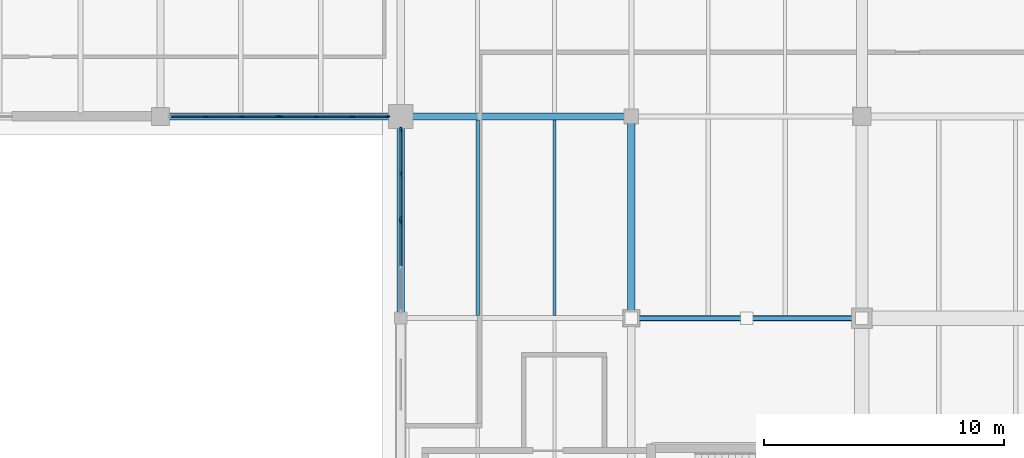
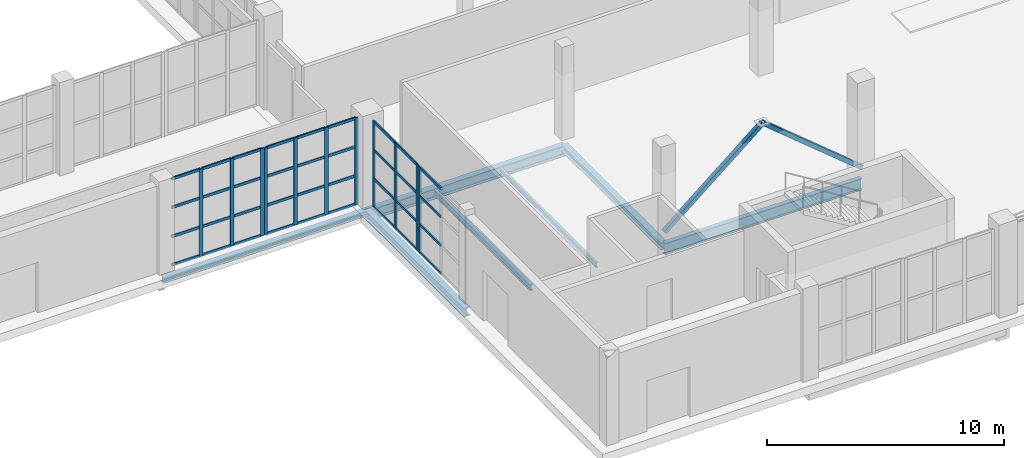
# One storey, part 17 of 121: 49 members, 7 beams, 4 elements without a shape of their own.
"""IFC4 building model written with IfcOpenShell, lengths in metres."""

from ifc_helpers import new_model, si_unit, direction, frame, origin, origin_2d, place, context, subcontext, project, spatial, rectangle, hollow_rectangle, i_section, extrude, material, layer, layer_set, material_profile, profile_set, type_object, element, aggregate, save


model = new_model("IFC4")

# Units and contexts
model_context = context("Model", 3, precision=1e-05, world=origin(), true_north=direction((0.0, 1.0)))
body_context = subcontext(model_context, "Body", "Model", "MODEL_VIEW")
ifc_project = project(units=[si_unit("LENGTHUNIT", "METRE"), si_unit("AREAUNIT", "SQUARE_METRE"), si_unit("VOLUMEUNIT", "CUBIC_METRE"), si_unit("PLANEANGLEUNIT", "RADIAN"), si_unit("MASSUNIT", "GRAM", prefix="KILO")], contexts=[model_context])

# Site, building, storey
site_placement = place(None, origin())
site = spatial("IfcSite", under=ifc_project, at=site_placement, CompositionType="ELEMENT")
building_placement = place(site_placement, origin())
building = spatial("IfcBuilding", under=site, at=building_placement, Name="Zereglee Splitstone Museum", CompositionType="ELEMENT")
storey_placement = place(building_placement, origin())
storey = spatial("IfcBuildingStorey", under=building, at=storey_placement, Name="L00", CompositionType="ELEMENT", Elevation=0.0)

# Members
ifc_material_1 = material(Name="Steel S355J2H", Category="steel")
ifc_material_profile_1 = material_profile(ifc_material_1, hollow_rectangle(XDim=0.199951171875, YDim=0.199951171875, WallThickness=0.010009765625, at=origin_2d()), Name="SHS 200x200x10")
ifc_profile_set_1 = profile_set([ifc_material_profile_1], Name="Steel S355J2H")
member_type_1 = type_object("IfcMemberType", Name="TB-07", PredefinedType="BRACE", material=ifc_profile_set_1)
member_1_placement = place(storey_placement, frame((87.60009765625, 21.60009765625, 0.1201171875), z_axis=(0.771363648396, 0.0, 0.636394627517), x_axis=(0.0, 1.0, 0.0)))
element("IfcMember", 1, at=member_1_placement, inside=storey, type_object=member_type_1, Name="Lateral Braced Frame Chevron L00-005A", PredefinedType="BRACE", context=body_context, shape_type="SweptSolid", body=[
    extrude(hollow_rectangle(XDim=0.199951171875, YDim=0.199951171875, WallThickness=0.010009765625, at=origin_2d()), origin(), (0.0, 0.0, 1.0), 6.222412109375),
])
member_2_placement = place(storey_placement, frame((97.199951171875, 21.60009765625, 0.1201171875), z_axis=(-0.771379537849, 0.0, 0.636375367678), x_axis=(0.0, -1.0, 0.0)))
element("IfcMember", 2, at=member_2_placement, inside=storey, type_object=member_type_1, Name="Lateral Braced Frame Chevron L00-005B", PredefinedType="BRACE", context=body_context, shape_type="SweptSolid", body=[
    extrude(hollow_rectangle(XDim=0.199951171875, YDim=0.199951171875, WallThickness=0.010009765625, at=origin_2d()), origin(), (0.0, 0.0, 1.0), 6.22265625),
])

# Curtain wall, members
ifc_material_2 = material(Name="Triple-glazed low-E argon glass and bronze-anodised aluminium", Category="aluminium")
ifc_layer_1 = layer(ifc_material_2, 0.179931640625)
ifc_layer_set_1 = layer_set([ifc_layer_1], Name="Triple-glazed low-E argon glass and bronze-anodised aluminium")
curtain_wall_type_1 = type_object("IfcCurtainWallType", Name="CW-0451-450", PredefinedType="USERDEFINED", material=ifc_layer_set_1)
curtain_wall_1_placement = place(storey_placement, origin())
curtain_wall_1 = element("IfcCurtainWall", 3, at=curtain_wall_1_placement, inside=storey, type_object=curtain_wall_type_1, Name="Glazed Curtain Wall CW-0451-450 (L00)", ObjectType="GLAZED CURTAIN WALL", PredefinedType="USERDEFINED")
ifc_material_3 = material(Name="Thermally broken bronze-anodised aluminium", Category="aluminium")
ifc_material_profile_2 = material_profile(ifc_material_3, rectangle(XDim=0.06494140625, YDim=0.179931640625, at=origin_2d()), Name="CW MULL 65x180")
ifc_profile_set_2 = profile_set([ifc_material_profile_2], Name="Thermally broken bronze-anodised aluminium")
member_type_2 = type_object("IfcMemberType", Name="CWM-01", PredefinedType="MULLION", material=ifc_profile_set_2)
member_3_placement = place(storey_placement, frame((69.887939453125, 30.0, 0.0), z_axis=(0.0, 0.0, 1.0), x_axis=(0.0, 1.0, 0.0)))
member_3 = element("IfcMember", 4, at=member_3_placement, type_object=member_type_2, Name="CW-0451-450 mullion 2", PredefinedType="MULLION", context=body_context, shape_type="SweptSolid", body=[
    extrude(rectangle(XDim=0.06494140625, YDim=0.179931640625, at=origin_2d()), origin(), (0.0, 0.0, 1.0), 4.5),
])
member_4_placement = place(storey_placement, frame((71.392578125, 30.0, 0.0), z_axis=(0.0, 0.0, 1.0), x_axis=(0.0, 1.0, 0.0)))
member_4 = element("IfcMember", 5, at=member_4_placement, type_object=member_type_2, Name="CW-0451-450 mullion 3", PredefinedType="MULLION", context=body_context, shape_type="SweptSolid", body=[
    extrude(rectangle(XDim=0.06494140625, YDim=0.179931640625, at=origin_2d()), origin(), (0.0, 0.0, 1.0), 4.5),
])
member_5_placement = place(storey_placement, frame((72.864990234375, 30.0, 0.0), z_axis=(0.0, 0.0, 1.0), x_axis=(0.0, 1.0, 0.0)))
member_5 = element("IfcMember", 6, at=member_5_placement, type_object=member_type_2, Name="CW-0451-450 mullion 4", PredefinedType="MULLION", context=body_context, shape_type="SweptSolid", body=[
    extrude(rectangle(XDim=0.06494140625, YDim=0.179931640625, at=origin_2d()), origin(), (0.0, 0.0, 1.0), 4.5),
])

ifc_layer_2 = layer(ifc_material_2, 0.179931640625)
ifc_layer_set_2 = layer_set([ifc_layer_2], Name="Triple-glazed low-E argon glass and bronze-anodised aluminium")
curtain_wall_type_2 = type_object("IfcCurtainWallType", Name="CW-0451-448", PredefinedType="USERDEFINED", material=ifc_layer_set_2)
curtain_wall_2_placement = place(storey_placement, origin())
curtain_wall_2 = element("IfcCurtainWall", 7, at=curtain_wall_2_placement, inside=storey, type_object=curtain_wall_type_2, Name="Glazed Curtain Wall CW-0451-448 (L00)", ObjectType="GLAZED CURTAIN WALL", PredefinedType="USERDEFINED")
member_6_placement = place(storey_placement, frame((73.010009765625, 30.0, 0.0), z_axis=(0.0, 0.0, 1.0), x_axis=(0.0, 1.0, 0.0)))
member_6 = element("IfcMember", 8, at=member_6_placement, type_object=member_type_2, Name="CW-0451-448 mullion 1", PredefinedType="MULLION", context=body_context, shape_type="SweptSolid", body=[
    extrude(rectangle(XDim=0.06494140625, YDim=0.179931640625, at=origin_2d()), origin(), (0.0, 0.0, 1.0), 4.47998046875),
])
member_7_placement = place(storey_placement, frame((74.482421875, 30.0, 0.0), z_axis=(0.0, 0.0, 1.0), x_axis=(0.0, 1.0, 0.0)))
member_7 = element("IfcMember", 9, at=member_7_placement, type_object=member_type_2, Name="CW-0451-448 mullion 2", PredefinedType="MULLION", context=body_context, shape_type="SweptSolid", body=[
    extrude(rectangle(XDim=0.06494140625, YDim=0.179931640625, at=origin_2d()), origin(), (0.0, 0.0, 1.0), 4.47998046875),
])
member_8_placement = place(storey_placement, frame((75.987060546875, 30.0, 0.0), z_axis=(0.0, 0.0, 1.0), x_axis=(0.0, 1.0, 0.0)))
member_8 = element("IfcMember", 10, at=member_8_placement, type_object=member_type_2, Name="CW-0451-448 mullion 3", PredefinedType="MULLION", context=body_context, shape_type="SweptSolid", body=[
    extrude(rectangle(XDim=0.06494140625, YDim=0.179931640625, at=origin_2d()), origin(), (0.0, 0.0, 1.0), 4.47998046875),
])
member_9_placement = place(storey_placement, frame((77.45947265625, 30.0, 0.0), z_axis=(0.0, 0.0, 1.0), x_axis=(0.0, 1.0, 0.0)))
member_9 = element("IfcMember", 11, at=member_9_placement, type_object=member_type_2, Name="CW-0451-448 mullion 4", PredefinedType="MULLION", context=body_context, shape_type="SweptSolid", body=[
    extrude(rectangle(XDim=0.06494140625, YDim=0.179931640625, at=origin_2d()), origin(), (0.0, 0.0, 1.0), 4.47998046875),
])

ifc_layer_3 = layer(ifc_material_2, 0.179931640625)
ifc_layer_set_3 = layer_set([ifc_layer_3], Name="Triple-glazed low-E argon glass and bronze-anodised aluminium")
curtain_wall_type_3 = type_object("IfcCurtainWallType", Name="CW-0378-444", PredefinedType="USERDEFINED", material=ifc_layer_set_3)
curtain_wall_3_placement = place(storey_placement, origin())
curtain_wall_3 = element("IfcCurtainWall", 12, at=curtain_wall_3_placement, inside=storey, type_object=curtain_wall_type_3, Name="Glazed Curtain Wall CW-0378-444 (L00)", ObjectType="GLAZED CURTAIN WALL", PredefinedType="USERDEFINED")
member_10_placement = place(storey_placement, frame((78.0, 29.45947265625, 0.0), z_axis=(0.0, 0.0, 1.0), x_axis=(1.0, 0.0, 0.0)))
member_10 = element("IfcMember", 13, at=member_10_placement, type_object=member_type_2, Name="CW-0378-444 mullion 1", PredefinedType="MULLION", context=body_context, shape_type="SweptSolid", body=[
    extrude(rectangle(XDim=0.06494140625, YDim=0.179931640625, at=origin_2d()), origin(), (0.0, 0.0, 1.0), 4.43994140625),
])
member_11_placement = place(storey_placement, frame((78.0, 27.603515625, 0.0), z_axis=(0.0, 0.0, 1.0), x_axis=(1.0, 0.0, 0.0)))
member_11 = element("IfcMember", 14, at=member_11_placement, type_object=member_type_2, Name="CW-0378-444 mullion 2", PredefinedType="MULLION", context=body_context, shape_type="SweptSolid", body=[
    extrude(rectangle(XDim=0.06494140625, YDim=0.179931640625, at=origin_2d()), origin(), (0.0, 0.0, 1.0), 4.43994140625),
])
member_12_placement = place(storey_placement, frame((78.0, 25.74755859375, 0.0), z_axis=(0.0, 0.0, 1.0), x_axis=(1.0, 0.0, 0.0)))
member_12 = element("IfcMember", 15, at=member_12_placement, type_object=member_type_2, Name="CW-0378-444 mullion 3", PredefinedType="MULLION", context=body_context, shape_type="SweptSolid", body=[
    extrude(rectangle(XDim=0.06494140625, YDim=0.179931640625, at=origin_2d()), origin(), (0.0, 0.0, 1.0), 4.43994140625),
])

# Curtain wall, member
ifc_layer_4 = layer(ifc_material_2, 0.179931640625)
ifc_layer_set_4 = layer_set([ifc_layer_4], Name="Triple-glazed low-E argon glass and bronze-anodised aluminium")
curtain_wall_type_4 = type_object("IfcCurtainWallType", Name="CW-0378-442", PredefinedType="USERDEFINED", material=ifc_layer_set_4)
curtain_wall_4_placement = place(storey_placement, origin())
curtain_wall_4 = element("IfcCurtainWall", 16, at=curtain_wall_4_placement, inside=storey, type_object=curtain_wall_type_4, Name="Glazed Curtain Wall CW-0378-442 (L00)", ObjectType="GLAZED CURTAIN WALL", PredefinedType="USERDEFINED")
member_13_placement = place(storey_placement, frame((78.0, 25.6025390625, 0.0), z_axis=(0.0, 0.0, 1.0), x_axis=(1.0, 0.0, 0.0)))
member_13 = element("IfcMember", 17, at=member_13_placement, type_object=member_type_2, Name="CW-0378-442 mullion 1", PredefinedType="MULLION", context=body_context, shape_type="SweptSolid", body=[
    extrude(rectangle(XDim=0.06494140625, YDim=0.179931640625, at=origin_2d()), origin(), (0.0, 0.0, 1.0), 4.419921875),
])

# Member
ifc_material_profile_3 = material_profile(ifc_material_3, rectangle(XDim=0.06494140625, YDim=0.139892578125, at=origin_2d()), Name="CW TRAN 65x140")
ifc_profile_set_3 = profile_set([ifc_material_profile_3], Name="Thermally broken bronze-anodised aluminium")
member_type_3 = type_object("IfcMemberType", Name="CWT-01", PredefinedType="USERDEFINED", material=ifc_profile_set_3)
member_14_placement = place(storey_placement, frame((68.447998046875, 30.0, 0.032470703125), z_axis=(1.0, 0.0, 0.0), x_axis=(0.0, 1.0, 0.0)))
member_14 = element("IfcMember", 18, at=member_14_placement, type_object=member_type_3, Name="CW-0451-450 transom 1.1", ObjectType="TRANSOM", PredefinedType="USERDEFINED", context=body_context, shape_type="SweptSolid", body=[
    extrude(rectangle(XDim=0.06494140625, YDim=0.139892578125, at=origin_2d()), origin(), (0.0, 0.0, 1.0), 1.4072265625),
])

member_15_placement = place(storey_placement, frame((68.447998046875, 30.0, 1.5), z_axis=(1.0, 0.0, 0.0), x_axis=(0.0, 1.0, 0.0)))
member_15 = element("IfcMember", 19, at=member_15_placement, type_object=member_type_3, Name="CW-0451-450 transom 1.2", ObjectType="TRANSOM", PredefinedType="USERDEFINED", context=body_context, shape_type="SweptSolid", body=[
    extrude(rectangle(XDim=0.06494140625, YDim=0.139892578125, at=origin_2d()), origin(), (0.0, 0.0, 1.0), 1.4072265625),
])

member_16_placement = place(storey_placement, frame((68.447998046875, 30.0, 3.0), z_axis=(1.0, 0.0, 0.0), x_axis=(0.0, 1.0, 0.0)))
member_16 = element("IfcMember", 20, at=member_16_placement, type_object=member_type_3, Name="CW-0451-450 transom 1.3", ObjectType="TRANSOM", PredefinedType="USERDEFINED", context=body_context, shape_type="SweptSolid", body=[
    extrude(rectangle(XDim=0.06494140625, YDim=0.139892578125, at=origin_2d()), origin(), (0.0, 0.0, 1.0), 1.4072265625),
])

member_17_placement = place(storey_placement, frame((68.447998046875, 30.0, 4.467529296875), z_axis=(1.0, 0.0, 0.0), x_axis=(0.0, 1.0, 0.0)))
member_17 = element("IfcMember", 21, at=member_17_placement, type_object=member_type_3, Name="CW-0451-450 transom 1.4", ObjectType="TRANSOM", PredefinedType="USERDEFINED", context=body_context, shape_type="SweptSolid", body=[
    extrude(rectangle(XDim=0.06494140625, YDim=0.139892578125, at=origin_2d()), origin(), (0.0, 0.0, 1.0), 1.4072265625),
])

member_18_placement = place(storey_placement, frame((69.92041015625, 30.0, 0.032470703125), z_axis=(1.0, 0.0, 0.0), x_axis=(0.0, 1.0, 0.0)))
member_18 = element("IfcMember", 22, at=member_18_placement, type_object=member_type_3, Name="CW-0451-450 transom 2.1", ObjectType="TRANSOM", PredefinedType="USERDEFINED", context=body_context, shape_type="SweptSolid", body=[
    extrude(rectangle(XDim=0.06494140625, YDim=0.139892578125, at=origin_2d()), origin(), (0.0, 0.0, 1.0), 1.439697265625),
])

member_19_placement = place(storey_placement, frame((69.92041015625, 30.0, 1.5), z_axis=(1.0, 0.0, 0.0), x_axis=(0.0, 1.0, 0.0)))
member_19 = element("IfcMember", 23, at=member_19_placement, type_object=member_type_3, Name="CW-0451-450 transom 2.2", ObjectType="TRANSOM", PredefinedType="USERDEFINED", context=body_context, shape_type="SweptSolid", body=[
    extrude(rectangle(XDim=0.06494140625, YDim=0.139892578125, at=origin_2d()), origin(), (0.0, 0.0, 1.0), 1.439697265625),
])

member_20_placement = place(storey_placement, frame((69.92041015625, 30.0, 3.0), z_axis=(1.0, 0.0, 0.0), x_axis=(0.0, 1.0, 0.0)))
member_20 = element("IfcMember", 24, at=member_20_placement, type_object=member_type_3, Name="CW-0451-450 transom 2.3", ObjectType="TRANSOM", PredefinedType="USERDEFINED", context=body_context, shape_type="SweptSolid", body=[
    extrude(rectangle(XDim=0.06494140625, YDim=0.139892578125, at=origin_2d()), origin(), (0.0, 0.0, 1.0), 1.439697265625),
])

member_21_placement = place(storey_placement, frame((69.92041015625, 30.0, 4.467529296875), z_axis=(1.0, 0.0, 0.0), x_axis=(0.0, 1.0, 0.0)))
member_21 = element("IfcMember", 25, at=member_21_placement, type_object=member_type_3, Name="CW-0451-450 transom 2.4", ObjectType="TRANSOM", PredefinedType="USERDEFINED", context=body_context, shape_type="SweptSolid", body=[
    extrude(rectangle(XDim=0.06494140625, YDim=0.139892578125, at=origin_2d()), origin(), (0.0, 0.0, 1.0), 1.439697265625),
])

member_22_placement = place(storey_placement, frame((71.425048828125, 30.0, 0.032470703125), z_axis=(1.0, 0.0, 0.0), x_axis=(0.0, 1.0, 0.0)))
member_22 = element("IfcMember", 26, at=member_22_placement, type_object=member_type_3, Name="CW-0451-450 transom 3.1", ObjectType="TRANSOM", PredefinedType="USERDEFINED", context=body_context, shape_type="SweptSolid", body=[
    extrude(rectangle(XDim=0.06494140625, YDim=0.139892578125, at=origin_2d()), origin(), (0.0, 0.0, 1.0), 1.407470703125),
])

member_23_placement = place(storey_placement, frame((71.425048828125, 30.0, 1.5), z_axis=(1.0, 0.0, 0.0), x_axis=(0.0, 1.0, 0.0)))
member_23 = element("IfcMember", 27, at=member_23_placement, type_object=member_type_3, Name="CW-0451-450 transom 3.2", ObjectType="TRANSOM", PredefinedType="USERDEFINED", context=body_context, shape_type="SweptSolid", body=[
    extrude(rectangle(XDim=0.06494140625, YDim=0.139892578125, at=origin_2d()), origin(), (0.0, 0.0, 1.0), 1.407470703125),
])

member_24_placement = place(storey_placement, frame((71.425048828125, 30.0, 3.0), z_axis=(1.0, 0.0, 0.0), x_axis=(0.0, 1.0, 0.0)))
member_24 = element("IfcMember", 28, at=member_24_placement, type_object=member_type_3, Name="CW-0451-450 transom 3.3", ObjectType="TRANSOM", PredefinedType="USERDEFINED", context=body_context, shape_type="SweptSolid", body=[
    extrude(rectangle(XDim=0.06494140625, YDim=0.139892578125, at=origin_2d()), origin(), (0.0, 0.0, 1.0), 1.407470703125),
])

member_25_placement = place(storey_placement, frame((71.425048828125, 30.0, 4.467529296875), z_axis=(1.0, 0.0, 0.0), x_axis=(0.0, 1.0, 0.0)))
member_25 = element("IfcMember", 29, at=member_25_placement, type_object=member_type_3, Name="CW-0451-450 transom 3.4", ObjectType="TRANSOM", PredefinedType="USERDEFINED", context=body_context, shape_type="SweptSolid", body=[
    extrude(rectangle(XDim=0.06494140625, YDim=0.139892578125, at=origin_2d()), origin(), (0.0, 0.0, 1.0), 1.407470703125),
])

aggregate(curtain_wall_1, [member_3, member_4, member_5, member_14, member_15, member_16, member_17, member_18, member_19, member_20, member_21, member_22, member_23, member_24, member_25])

member_26_placement = place(storey_placement, frame((73.04248046875, 30.0, 0.032470703125), z_axis=(1.0, 0.0, 0.0), x_axis=(0.0, 1.0, 0.0)))
member_26 = element("IfcMember", 30, at=member_26_placement, type_object=member_type_3, Name="CW-0451-448 transom 1.1", ObjectType="TRANSOM", PredefinedType="USERDEFINED", context=body_context, shape_type="SweptSolid", body=[
    extrude(rectangle(XDim=0.06494140625, YDim=0.139892578125, at=origin_2d()), origin(), (0.0, 0.0, 1.0), 1.407470703125),
])

member_27_placement = place(storey_placement, frame((73.04248046875, 30.0, 1.493408203125), z_axis=(1.0, 0.0, 0.0), x_axis=(0.0, 1.0, 0.0)))
member_27 = element("IfcMember", 31, at=member_27_placement, type_object=member_type_3, Name="CW-0451-448 transom 1.2", ObjectType="TRANSOM", PredefinedType="USERDEFINED", context=body_context, shape_type="SweptSolid", body=[
    extrude(rectangle(XDim=0.06494140625, YDim=0.139892578125, at=origin_2d()), origin(), (0.0, 0.0, 1.0), 1.407470703125),
])

member_28_placement = place(storey_placement, frame((73.04248046875, 30.0, 2.98681640625), z_axis=(1.0, 0.0, 0.0), x_axis=(0.0, 1.0, 0.0)))
member_28 = element("IfcMember", 32, at=member_28_placement, type_object=member_type_3, Name="CW-0451-448 transom 1.3", ObjectType="TRANSOM", PredefinedType="USERDEFINED", context=body_context, shape_type="SweptSolid", body=[
    extrude(rectangle(XDim=0.06494140625, YDim=0.139892578125, at=origin_2d()), origin(), (0.0, 0.0, 1.0), 1.407470703125),
])

member_29_placement = place(storey_placement, frame((73.04248046875, 30.0, 4.447509765625), z_axis=(1.0, 0.0, 0.0), x_axis=(0.0, 1.0, 0.0)))
member_29 = element("IfcMember", 33, at=member_29_placement, type_object=member_type_3, Name="CW-0451-448 transom 1.4", ObjectType="TRANSOM", PredefinedType="USERDEFINED", context=body_context, shape_type="SweptSolid", body=[
    extrude(rectangle(XDim=0.06494140625, YDim=0.139892578125, at=origin_2d()), origin(), (0.0, 0.0, 1.0), 1.407470703125),
])

member_30_placement = place(storey_placement, frame((74.514892578125, 30.0, 0.032470703125), z_axis=(1.0, 0.0, 0.0), x_axis=(0.0, 1.0, 0.0)))
member_30 = element("IfcMember", 34, at=member_30_placement, type_object=member_type_3, Name="CW-0451-448 transom 2.1", ObjectType="TRANSOM", PredefinedType="USERDEFINED", context=body_context, shape_type="SweptSolid", body=[
    extrude(rectangle(XDim=0.06494140625, YDim=0.139892578125, at=origin_2d()), origin(), (0.0, 0.0, 1.0), 1.439697265625),
])

member_31_placement = place(storey_placement, frame((74.514892578125, 30.0, 1.493408203125), z_axis=(1.0, 0.0, 0.0), x_axis=(0.0, 1.0, 0.0)))
member_31 = element("IfcMember", 35, at=member_31_placement, type_object=member_type_3, Name="CW-0451-448 transom 2.2", ObjectType="TRANSOM", PredefinedType="USERDEFINED", context=body_context, shape_type="SweptSolid", body=[
    extrude(rectangle(XDim=0.06494140625, YDim=0.139892578125, at=origin_2d()), origin(), (0.0, 0.0, 1.0), 1.439697265625),
])

member_32_placement = place(storey_placement, frame((74.514892578125, 30.0, 2.98681640625), z_axis=(1.0, 0.0, 0.0), x_axis=(0.0, 1.0, 0.0)))
member_32 = element("IfcMember", 36, at=member_32_placement, type_object=member_type_3, Name="CW-0451-448 transom 2.3", ObjectType="TRANSOM", PredefinedType="USERDEFINED", context=body_context, shape_type="SweptSolid", body=[
    extrude(rectangle(XDim=0.06494140625, YDim=0.139892578125, at=origin_2d()), origin(), (0.0, 0.0, 1.0), 1.439697265625),
])

member_33_placement = place(storey_placement, frame((74.514892578125, 30.0, 4.447509765625), z_axis=(1.0, 0.0, 0.0), x_axis=(0.0, 1.0, 0.0)))
member_33 = element("IfcMember", 37, at=member_33_placement, type_object=member_type_3, Name="CW-0451-448 transom 2.4", ObjectType="TRANSOM", PredefinedType="USERDEFINED", context=body_context, shape_type="SweptSolid", body=[
    extrude(rectangle(XDim=0.06494140625, YDim=0.139892578125, at=origin_2d()), origin(), (0.0, 0.0, 1.0), 1.439697265625),
])

member_34_placement = place(storey_placement, frame((76.019775390625, 30.0, 0.032470703125), z_axis=(1.0, 0.0, 0.0), x_axis=(0.0, 1.0, 0.0)))
member_34 = element("IfcMember", 38, at=member_34_placement, type_object=member_type_3, Name="CW-0451-448 transom 3.1", ObjectType="TRANSOM", PredefinedType="USERDEFINED", context=body_context, shape_type="SweptSolid", body=[
    extrude(rectangle(XDim=0.06494140625, YDim=0.139892578125, at=origin_2d()), origin(), (0.0, 0.0, 1.0), 1.4072265625),
])

member_35_placement = place(storey_placement, frame((76.019775390625, 30.0, 1.493408203125), z_axis=(1.0, 0.0, 0.0), x_axis=(0.0, 1.0, 0.0)))
member_35 = element("IfcMember", 39, at=member_35_placement, type_object=member_type_3, Name="CW-0451-448 transom 3.2", ObjectType="TRANSOM", PredefinedType="USERDEFINED", context=body_context, shape_type="SweptSolid", body=[
    extrude(rectangle(XDim=0.06494140625, YDim=0.139892578125, at=origin_2d()), origin(), (0.0, 0.0, 1.0), 1.4072265625),
])

member_36_placement = place(storey_placement, frame((76.019775390625, 30.0, 2.98681640625), z_axis=(1.0, 0.0, 0.0), x_axis=(0.0, 1.0, 0.0)))
member_36 = element("IfcMember", 40, at=member_36_placement, type_object=member_type_3, Name="CW-0451-448 transom 3.3", ObjectType="TRANSOM", PredefinedType="USERDEFINED", context=body_context, shape_type="SweptSolid", body=[
    extrude(rectangle(XDim=0.06494140625, YDim=0.139892578125, at=origin_2d()), origin(), (0.0, 0.0, 1.0), 1.4072265625),
])

member_37_placement = place(storey_placement, frame((76.019775390625, 30.0, 4.447509765625), z_axis=(1.0, 0.0, 0.0), x_axis=(0.0, 1.0, 0.0)))
member_37 = element("IfcMember", 41, at=member_37_placement, type_object=member_type_3, Name="CW-0451-448 transom 3.4", ObjectType="TRANSOM", PredefinedType="USERDEFINED", context=body_context, shape_type="SweptSolid", body=[
    extrude(rectangle(XDim=0.06494140625, YDim=0.139892578125, at=origin_2d()), origin(), (0.0, 0.0, 1.0), 1.4072265625),
])

aggregate(curtain_wall_2, [member_6, member_7, member_8, member_9, member_26, member_27, member_28, member_29, member_30, member_31, member_32, member_33, member_34, member_35, member_36, member_37])

member_38_placement = place(storey_placement, frame((78.0, 29.427001953125, 0.032470703125), z_axis=(0.0, -1.0, 0.0), x_axis=(1.0, 0.0, 0.0)))
member_38 = element("IfcMember", 42, at=member_38_placement, type_object=member_type_3, Name="CW-0378-444 transom 1.1", ObjectType="TRANSOM", PredefinedType="USERDEFINED", context=body_context, shape_type="SweptSolid", body=[
    extrude(rectangle(XDim=0.06494140625, YDim=0.139892578125, at=origin_2d()), origin(), (0.0, 0.0, 1.0), 1.791015625),
])

member_39_placement = place(storey_placement, frame((78.0, 29.427001953125, 1.47998046875), z_axis=(0.0, -1.0, 0.0), x_axis=(1.0, 0.0, 0.0)))
member_39 = element("IfcMember", 43, at=member_39_placement, type_object=member_type_3, Name="CW-0378-444 transom 1.2", ObjectType="TRANSOM", PredefinedType="USERDEFINED", context=body_context, shape_type="SweptSolid", body=[
    extrude(rectangle(XDim=0.06494140625, YDim=0.139892578125, at=origin_2d()), origin(), (0.0, 0.0, 1.0), 1.791015625),
])

member_40_placement = place(storey_placement, frame((78.0, 29.427001953125, 2.9599609375), z_axis=(0.0, -1.0, 0.0), x_axis=(1.0, 0.0, 0.0)))
member_40 = element("IfcMember", 44, at=member_40_placement, type_object=member_type_3, Name="CW-0378-444 transom 1.3", ObjectType="TRANSOM", PredefinedType="USERDEFINED", context=body_context, shape_type="SweptSolid", body=[
    extrude(rectangle(XDim=0.06494140625, YDim=0.139892578125, at=origin_2d()), origin(), (0.0, 0.0, 1.0), 1.791015625),
])

member_41_placement = place(storey_placement, frame((78.0, 29.427001953125, 4.407470703125), z_axis=(0.0, -1.0, 0.0), x_axis=(1.0, 0.0, 0.0)))
member_41 = element("IfcMember", 45, at=member_41_placement, type_object=member_type_3, Name="CW-0378-444 transom 1.4", ObjectType="TRANSOM", PredefinedType="USERDEFINED", context=body_context, shape_type="SweptSolid", body=[
    extrude(rectangle(XDim=0.06494140625, YDim=0.139892578125, at=origin_2d()), origin(), (0.0, 0.0, 1.0), 1.791015625),
])

member_42_placement = place(storey_placement, frame((78.0, 27.571044921875, 0.032470703125), z_axis=(0.0, -1.0, 0.0), x_axis=(1.0, 0.0, 0.0)))
member_42 = element("IfcMember", 46, at=member_42_placement, type_object=member_type_3, Name="CW-0378-444 transom 2.1", ObjectType="TRANSOM", PredefinedType="USERDEFINED", context=body_context, shape_type="SweptSolid", body=[
    extrude(rectangle(XDim=0.06494140625, YDim=0.139892578125, at=origin_2d()), origin(), (0.0, 0.0, 1.0), 1.791015625),
])

member_43_placement = place(storey_placement, frame((78.0, 27.571044921875, 1.47998046875), z_axis=(0.0, -1.0, 0.0), x_axis=(1.0, 0.0, 0.0)))
member_43 = element("IfcMember", 47, at=member_43_placement, type_object=member_type_3, Name="CW-0378-444 transom 2.2", ObjectType="TRANSOM", PredefinedType="USERDEFINED", context=body_context, shape_type="SweptSolid", body=[
    extrude(rectangle(XDim=0.06494140625, YDim=0.139892578125, at=origin_2d()), origin(), (0.0, 0.0, 1.0), 1.791015625),
])

member_44_placement = place(storey_placement, frame((78.0, 27.571044921875, 2.9599609375), z_axis=(0.0, -1.0, 0.0), x_axis=(1.0, 0.0, 0.0)))
member_44 = element("IfcMember", 48, at=member_44_placement, type_object=member_type_3, Name="CW-0378-444 transom 2.3", ObjectType="TRANSOM", PredefinedType="USERDEFINED", context=body_context, shape_type="SweptSolid", body=[
    extrude(rectangle(XDim=0.06494140625, YDim=0.139892578125, at=origin_2d()), origin(), (0.0, 0.0, 1.0), 1.791015625),
])

member_45_placement = place(storey_placement, frame((78.0, 27.571044921875, 4.407470703125), z_axis=(0.0, -1.0, 0.0), x_axis=(1.0, 0.0, 0.0)))
member_45 = element("IfcMember", 49, at=member_45_placement, type_object=member_type_3, Name="CW-0378-444 transom 2.4", ObjectType="TRANSOM", PredefinedType="USERDEFINED", context=body_context, shape_type="SweptSolid", body=[
    extrude(rectangle(XDim=0.06494140625, YDim=0.139892578125, at=origin_2d()), origin(), (0.0, 0.0, 1.0), 1.791015625),
])

aggregate(curtain_wall_3, [member_10, member_11, member_12, member_38, member_39, member_40, member_41, member_42, member_43, member_44, member_45])

member_46_placement = place(storey_placement, frame((78.0, 25.570068359375, 0.032470703125), z_axis=(0.0, -1.0, 0.0), x_axis=(1.0, 0.0, 0.0)))
member_46 = element("IfcMember", 50, at=member_46_placement, type_object=member_type_3, Name="CW-0378-442 transom 1.1", ObjectType="TRANSOM", PredefinedType="USERDEFINED", context=body_context, shape_type="SweptSolid", body=[
    extrude(rectangle(XDim=0.06494140625, YDim=0.139892578125, at=origin_2d()), origin(), (0.0, 0.0, 1.0), 1.791015625),
])

member_47_placement = place(storey_placement, frame((78.0, 25.570068359375, 1.473388671875), z_axis=(0.0, -1.0, 0.0), x_axis=(1.0, 0.0, 0.0)))
member_47 = element("IfcMember", 51, at=member_47_placement, type_object=member_type_3, Name="CW-0378-442 transom 1.2", ObjectType="TRANSOM", PredefinedType="USERDEFINED", context=body_context, shape_type="SweptSolid", body=[
    extrude(rectangle(XDim=0.06494140625, YDim=0.139892578125, at=origin_2d()), origin(), (0.0, 0.0, 1.0), 1.791015625),
])

member_48_placement = place(storey_placement, frame((78.0, 25.570068359375, 2.94677734375), z_axis=(0.0, -1.0, 0.0), x_axis=(1.0, 0.0, 0.0)))
member_48 = element("IfcMember", 52, at=member_48_placement, type_object=member_type_3, Name="CW-0378-442 transom 1.3", ObjectType="TRANSOM", PredefinedType="USERDEFINED", context=body_context, shape_type="SweptSolid", body=[
    extrude(rectangle(XDim=0.06494140625, YDim=0.139892578125, at=origin_2d()), origin(), (0.0, 0.0, 1.0), 1.791015625),
])

member_49_placement = place(storey_placement, frame((78.0, 25.570068359375, 4.387451171875), z_axis=(0.0, -1.0, 0.0), x_axis=(1.0, 0.0, 0.0)))
member_49 = element("IfcMember", 53, at=member_49_placement, type_object=member_type_3, Name="CW-0378-442 transom 1.4", ObjectType="TRANSOM", PredefinedType="USERDEFINED", context=body_context, shape_type="SweptSolid", body=[
    extrude(rectangle(XDim=0.06494140625, YDim=0.139892578125, at=origin_2d()), origin(), (0.0, 0.0, 1.0), 1.791015625),
])

aggregate(curtain_wall_4, [member_13, member_46, member_47, member_48, member_49])

# Beams
ifc_material_4 = material(Name="Steel S355J2", Category="steel")
ifc_material_profile_4 = material_profile(ifc_material_4, i_section(OverallWidth=0.300048828125, OverallDepth=0.360107421875, WebThickness=0.012451171875, FlangeThickness=0.0224609375, FilletRadius=0.027099609375, at=origin_2d()), Name="HE 360 B")
ifc_profile_set_4 = profile_set([ifc_material_profile_4], Name="Steel S355J2")
beam_type_1 = type_object("IfcBeamType", Name="BG-14", PredefinedType="BEAM", material=ifc_profile_set_4)
beam_1_placement = place(storey_placement, frame((87.60009765625, 21.60009765625, -0.60009765625), z_axis=(0.0, 1.0, 0.0), x_axis=(-1.0, 0.0, 0.0)))
element("IfcBeam", 54, at=beam_1_placement, inside=storey, type_object=beam_type_1, Name="Primary Girder L00 11 (21.6-30.0)", PredefinedType="BEAM", context=body_context, shape_type="SweptSolid", body=[
    extrude(i_section(OverallWidth=0.300048828125, OverallDepth=0.360107421875, WebThickness=0.012451171875, FlangeThickness=0.0224609375, FilletRadius=0.027099609375, at=origin_2d()), origin(), (0.0, 0.0, 1.0), 8.39990234375),
])
ifc_material_profile_5 = material_profile(ifc_material_4, i_section(OverallWidth=0.300048828125, OverallDepth=0.550048828125, WebThickness=0.014892578125, FlangeThickness=0.029052734375, FilletRadius=0.027099609375, at=origin_2d()), Name="HE 550 B")
ifc_profile_set_5 = profile_set([ifc_material_profile_5], Name="Steel S355J2")
beam_type_2 = type_object("IfcBeamType", Name="BG-11", PredefinedType="BEAM", material=ifc_profile_set_5)
beam_2_placement = place(storey_placement, frame((78.0, 30.0, -0.695068359375), z_axis=(1.0, 0.0, 0.0), x_axis=(0.0, 1.0, 0.0)))
element("IfcBeam", 55, at=beam_2_placement, inside=storey, type_object=beam_type_2, Name="Primary Girder L00 D (78.0-87.6)", PredefinedType="BEAM", context=body_context, shape_type="SweptSolid", body=[
    extrude(i_section(OverallWidth=0.300048828125, OverallDepth=0.550048828125, WebThickness=0.014892578125, FlangeThickness=0.029052734375, FilletRadius=0.027099609375, at=origin_2d()), origin(), (0.0, 0.0, 1.0), 9.60009765625),
])
ifc_material_profile_6 = material_profile(ifc_material_4, i_section(OverallWidth=0.219970703125, OverallDepth=0.60009765625, WebThickness=0.011962890625, FlangeThickness=0.01904296875, FilletRadius=0.02392578125, at=origin_2d()), Name="IPE 600")
ifc_profile_set_6 = profile_set([ifc_material_profile_6], Name="Steel S355J2")
beam_type_3 = type_object("IfcBeamType", Name="BG-15", PredefinedType="BEAM", material=ifc_profile_set_6)
beam_3_placement = place(storey_placement, frame((87.60009765625, 21.60009765625, -0.719970703125), z_axis=(1.0, 0.0, 0.0), x_axis=(0.0, 1.0, 0.0)))
element("IfcBeam", 56, at=beam_3_placement, inside=storey, type_object=beam_type_3, Name="Primary Girder L00 C (87.6-97.2)", PredefinedType="BEAM", context=body_context, shape_type="SweptSolid", body=[
    extrude(i_section(OverallWidth=0.219970703125, OverallDepth=0.60009765625, WebThickness=0.011962890625, FlangeThickness=0.01904296875, FilletRadius=0.02392578125, at=origin_2d()), origin(), (0.0, 0.0, 1.0), 9.599853515625),
])
ifc_material_profile_7 = material_profile(ifc_material_4, i_section(OverallWidth=0.1201171875, OverallDepth=0.239990234375, WebThickness=0.006103515625, FlangeThickness=0.009765625, FilletRadius=0.014892578125, at=origin_2d()), Name="IPE 240")
ifc_profile_set_7 = profile_set([ifc_material_profile_7], Name="Steel S355J2")
beam_type_4 = type_object("IfcBeamType", Name="BJ-07", PredefinedType="JOIST", material=ifc_profile_set_7)
beam_4_placement = place(storey_placement, frame((84.39990234375, 21.705078125, -0.5400390625), z_axis=(0.0, 1.0, 0.0), x_axis=(-1.0, 0.0, 0.0)))
element("IfcBeam", 57, at=beam_4_placement, inside=storey, type_object=beam_type_4, Name="Secondary Floor Joist L00-0314", PredefinedType="JOIST", context=body_context, shape_type="SweptSolid", body=[
    extrude(i_section(OverallWidth=0.1201171875, OverallDepth=0.239990234375, WebThickness=0.006103515625, FlangeThickness=0.009765625, FilletRadius=0.014892578125, at=origin_2d()), origin(), (0.0, 0.0, 1.0), 8.14501953125),
])
ifc_material_profile_8 = material_profile(ifc_material_4, i_section(OverallWidth=0.14990234375, OverallDepth=0.300048828125, WebThickness=0.007080078125, FlangeThickness=0.0107421875, FilletRadius=0.014892578125, at=origin_2d()), Name="IPE 300")
ifc_profile_set_8 = profile_set([ifc_material_profile_8], Name="Steel S355J2")
beam_type_5 = type_object("IfcBeamType", Name="BJ-06", PredefinedType="JOIST", material=ifc_profile_set_8)
beam_5_placement = place(storey_placement, frame((81.199951171875, 21.705078125, -0.570068359375), z_axis=(0.0, 1.0, 0.0), x_axis=(-1.0, 0.0, 0.0)))
element("IfcBeam", 58, at=beam_5_placement, inside=storey, type_object=beam_type_5, Name="Secondary Floor Joist L00-0313", PredefinedType="JOIST", context=body_context, shape_type="SweptSolid", body=[
    extrude(i_section(OverallWidth=0.14990234375, OverallDepth=0.300048828125, WebThickness=0.007080078125, FlangeThickness=0.0107421875, FilletRadius=0.014892578125, at=origin_2d()), origin(), (0.0, 0.0, 1.0), 8.14501953125),
])
ifc_material_profile_9 = material_profile(ifc_material_4, i_section(OverallWidth=0.280029296875, OverallDepth=0.280029296875, WebThickness=0.010498046875, FlangeThickness=0.01806640625, FilletRadius=0.02392578125, at=origin_2d()), Name="HE 280 B")
ifc_profile_set_9 = profile_set([ifc_material_profile_9], Name="Steel S355J2")
beam_type_6 = type_object("IfcBeamType", Name="SP-03", PredefinedType="SPANDREL", material=ifc_profile_set_9)
beam_6_placement = place(storey_placement, frame((68.0, 30.0, -0.56005859375), z_axis=(1.0, 0.0, 0.0), x_axis=(0.0, 1.0, 0.0)))
element("IfcBeam", 59, at=beam_6_placement, inside=storey, type_object=beam_type_6, Name="Primary Girder L00 D (68.0-78.0)", PredefinedType="SPANDREL", context=body_context, shape_type="SweptSolid", body=[
    extrude(i_section(OverallWidth=0.280029296875, OverallDepth=0.280029296875, WebThickness=0.010498046875, FlangeThickness=0.01806640625, FilletRadius=0.02392578125, at=origin_2d()), origin(), (0.0, 0.0, 1.0), 10.0),
])
ifc_material_profile_10 = material_profile(ifc_material_4, i_section(OverallWidth=0.300048828125, OverallDepth=0.449951171875, WebThickness=0.013916015625, FlangeThickness=0.02587890625, FilletRadius=0.027099609375, at=origin_2d()), Name="HE 450 B")
ifc_profile_set_10 = profile_set([ifc_material_profile_10], Name="Steel S355J2")
beam_type_7 = type_object("IfcBeamType", Name="SP-02", PredefinedType="SPANDREL", material=ifc_profile_set_10)
beam_7_placement = place(storey_placement, frame((78.0, 21.60009765625, -0.64501953125), z_axis=(0.0, 1.0, 0.0), x_axis=(-1.0, 0.0, 0.0)))
element("IfcBeam", 60, at=beam_7_placement, inside=storey, type_object=beam_type_7, Name="Primary Girder L00 10 (21.6-30.0)", PredefinedType="SPANDREL", context=body_context, shape_type="SweptSolid", body=[
    extrude(i_section(OverallWidth=0.300048828125, OverallDepth=0.449951171875, WebThickness=0.013916015625, FlangeThickness=0.02587890625, FilletRadius=0.027099609375, at=origin_2d()), origin(), (0.0, 0.0, 1.0), 8.39990234375),
])

save(model, "model.ifc")
